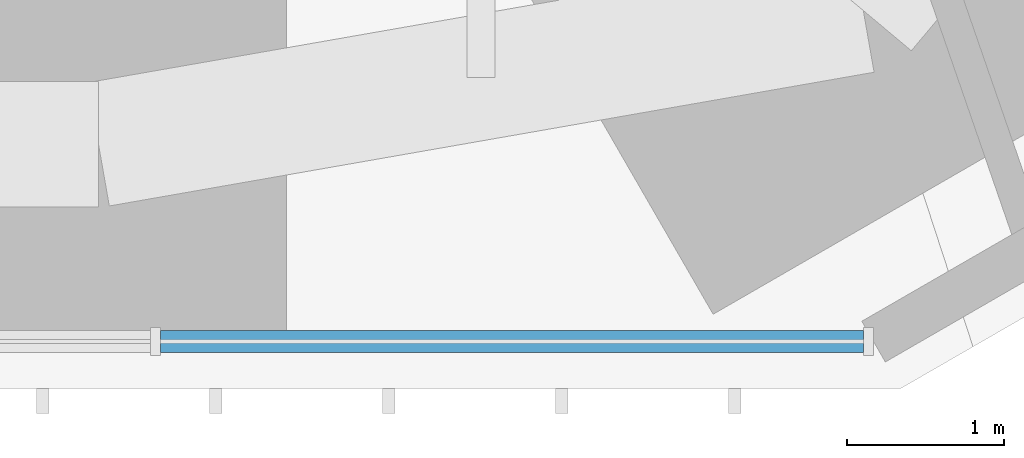
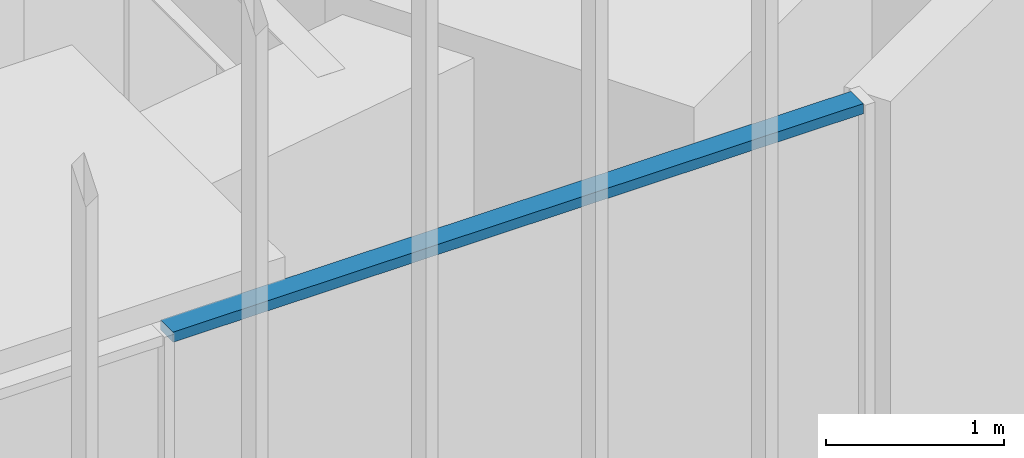
# One storey, part 75 of 256: 1 member, 1 element without a shape of its own.
"""IFC4 building model written with IfcOpenShell, lengths in metres."""

from ifc_helpers import new_model, si_unit, direction, frame, origin, origin_2d, place, context, subcontext, project, spatial, rectangle, extrude, material, material_profile, profile_set, type_object, element, aggregate, save


model = new_model("IFC4")

# Units and contexts
model_context = context("Model", 3, precision=1e-05, world=origin(), true_north=direction((0.0, 1.0)))
body_context = subcontext(model_context, "Body", "Model", "MODEL_VIEW")
ifc_project = project(units=[si_unit("LENGTHUNIT", "METRE"), si_unit("AREAUNIT", "SQUARE_METRE"), si_unit("VOLUMEUNIT", "CUBIC_METRE"), si_unit("PLANEANGLEUNIT", "RADIAN"), si_unit("MASSUNIT", "GRAM", prefix="KILO")], contexts=[model_context])

# Site, building, storey
site_placement = place(None, origin())
site = spatial("IfcSite", under=ifc_project, at=site_placement, CompositionType="ELEMENT")
building_placement = place(site_placement, origin())
building = spatial("IfcBuilding", under=site, at=building_placement, Name="Sandreach Pilgrim Tower", CompositionType="ELEMENT")
storey_placement = place(building_placement, frame((0.0, 0.0, 23.0)))
storey = spatial("IfcBuildingStorey", under=building, at=storey_placement, Name="L04", CompositionType="ELEMENT", Elevation=23.0)

# Curtain wall, member
ifc_material_1 = material(Name="Aluminium framed curtain wall", Category="aluminium")
curtain_wall_type = type_object("IfcCurtainWallType", Name="Hostel tower curtain wall", PredefinedType="NOTDEFINED", material=ifc_material_1)
curtain_wall_placement = place(storey_placement, origin())
curtain_wall = element("IfcCurtainWall", 1, at=curtain_wall_placement, inside=storey, type_object=curtain_wall_type, Name="CW-1 L04 S", PredefinedType="NOTDEFINED")
ifc_material_2 = material(Name="Aluminium extrusion", Category="aluminium")
ifc_material_profile = material_profile(ifc_material_2, rectangle(XDim=0.139892578125, YDim=0.070068359375, at=origin_2d()), Name="CW-1T 140X70")
ifc_profile_set = profile_set([ifc_material_profile], Name="Aluminium extrusion")
member_type = type_object("IfcMemberType", Name="CW-1 transom", PredefinedType="USERDEFINED", material=ifc_profile_set)
member_placement = place(storey_placement, frame((9.107177734375, -30.010986328125, 3.60498046875), z_axis=(-1.0, 0.0, 0.0), x_axis=(0.0, -1.0, 0.0)))
member = element("IfcMember", 2, at=member_placement, type_object=member_type, Name="CW-1 head transom 1", ObjectType="TRANSOM", PredefinedType="USERDEFINED", context=body_context, shape_type="SweptSolid", body=[
    extrude(rectangle(XDim=0.139892578125, YDim=0.070068359375, at=origin_2d()), origin(), (0.0, 0.0, 1.0), 4.488525390625),
])
aggregate(curtain_wall, [member])

save(model, "model.ifc")
